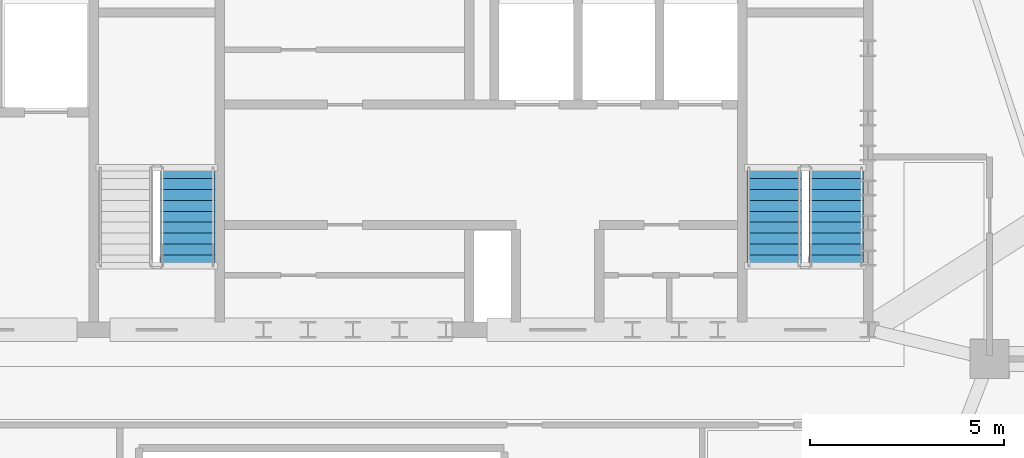
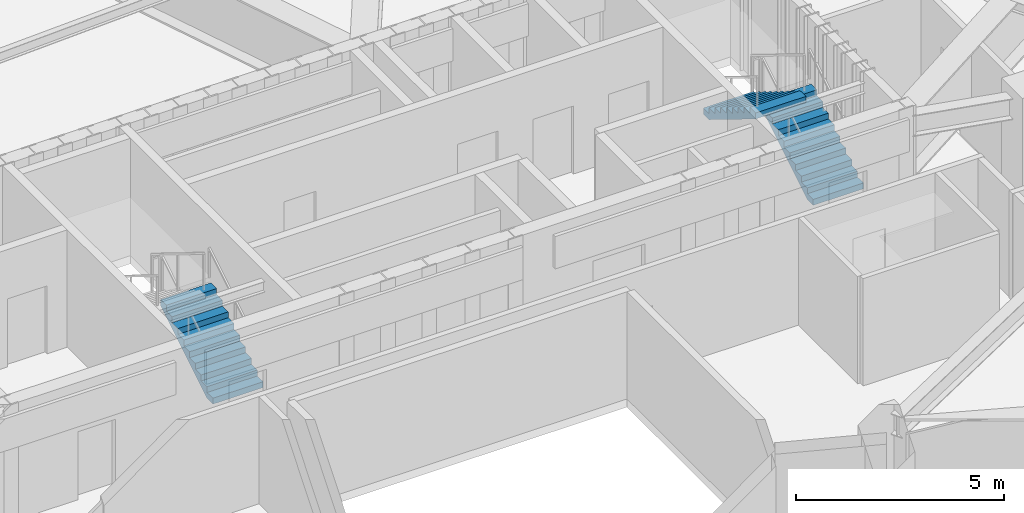
# One storey, part 7 of 12: 3 stair flights, 2 elements without a shape of their own.
"""IFC4 building model written with IfcOpenShell, lengths in metres."""

from ifc_helpers import new_model, si_unit, direction, frame, origin, place, context, subcontext, project, spatial, polyline, outline, extrude, material, type_object, element, aggregate, save


model = new_model("IFC4")

# Units and contexts
model_context = context("Model", 3, precision=1e-05, world=origin(), true_north=direction((0.0, 1.0)))
body_context = subcontext(model_context, "Body", "Model", "MODEL_VIEW")
ifc_project = project(units=[si_unit("LENGTHUNIT", "METRE"), si_unit("AREAUNIT", "SQUARE_METRE"), si_unit("VOLUMEUNIT", "CUBIC_METRE"), si_unit("PLANEANGLEUNIT", "RADIAN"), si_unit("MASSUNIT", "GRAM", prefix="KILO")], contexts=[model_context])

# Site, building, storey
site_placement = place(None, origin())
site = spatial("IfcSite", under=ifc_project, at=site_placement, CompositionType="ELEMENT")
building_placement = place(site_placement, origin())
building = spatial("IfcBuilding", under=site, at=building_placement, Name="Haldorwick Loom Tower", CompositionType="ELEMENT")
storey_placement = place(building_placement, frame((0.0, 0.0, 237.449951171875)))
storey = spatial("IfcBuildingStorey", under=building, at=storey_placement, Name="L64", CompositionType="ELEMENT", Elevation=237.449951171875)

# Stair, stair flights
ifc_material = material(Name="Concrete C40 (40 MPa)", Category="concrete")
stair_type = type_object("IfcStairType", Name="STR-STR-CORE", PredefinedType="HALF_TURN_STAIR", material=ifc_material)
stair_1_placement = place(storey_placement, origin())
stair_1 = element("IfcStair", 1, at=stair_1_placement, inside=storey, type_object=stair_type, Name="L64 Exit Stair ST-02", PredefinedType="HALF_TURN_STAIR")
stair_flight_type = type_object("IfcStairFlightType", Name="STR-STF-1250", PredefinedType="STRAIGHT", material=ifc_material)
stair_flight_1_placement = place(storey_placement, frame((49.25, 28.39990234375, 0.0), z_axis=(0.0, 0.0, 1.0), x_axis=(0.0, 1.0, 0.0)))
stair_flight_1 = element("IfcStairFlight", 2, at=stair_flight_1_placement, type_object=stair_flight_type, Name="ST-02 flight 1", NumberOfRisers=10, NumberOfTreads=9, PredefinedType="STRAIGHT", RiserHeight=0.1725, TreadLength=0.28, context=body_context, shape_type="SweptSolid", body=[
    extrude(outline(polyline([(0.0, 0.0), (0.0, 0.172607421875), (0.280029296875, 0.172607421875), (0.280029296875, 0.344970703125), (0.56005859375, 0.344970703125), (0.56005859375, 0.517578125), (0.840087890625, 0.517578125), (0.840087890625, 0.68994140625), (1.1201171875, 0.68994140625), (1.1201171875, 0.862548828125), (1.39990234375, 0.862548828125), (1.39990234375, 1.034912109375), (1.679931640625, 1.034912109375), (1.679931640625, 1.20751953125), (1.9599609375, 1.20751953125), (1.9599609375, 1.3798828125), (2.239990234375, 1.3798828125), (2.239990234375, 1.552490234375), (2.52001953125, 1.552490234375), (2.52001953125, 1.72509765625), (2.52001953125, 1.37646484375), (0.285888671875, 0.0), (0.0, 0.0)])), frame((0.0, 0.699951171875, 0.0), z_axis=(0.0, -1.0, 0.0), x_axis=(1.0, 0.0, 0.0)), (0.0, 0.0, 1.0), 1.39990234375),
])
stair_flight_2_placement = place(storey_placement, frame((47.64990234375, 30.919921875, 1.72509765625), z_axis=(0.0, 0.0, 1.0), x_axis=(0.0, -1.0, 0.0)))
stair_flight_2 = element("IfcStairFlight", 3, at=stair_flight_2_placement, type_object=stair_flight_type, Name="ST-02 flight 2", NumberOfRisers=10, NumberOfTreads=9, PredefinedType="STRAIGHT", RiserHeight=0.1725, TreadLength=0.28, context=body_context, shape_type="SweptSolid", body=[
    extrude(outline(polyline([(0.0, 0.0), (0.0, 0.172607421875), (0.280029296875, 0.172607421875), (0.280029296875, 0.344970703125), (0.56005859375, 0.344970703125), (0.56005859375, 0.517578125), (0.840087890625, 0.517578125), (0.840087890625, 0.68994140625), (1.1201171875, 0.68994140625), (1.1201171875, 0.862548828125), (1.39990234375, 0.862548828125), (1.39990234375, 1.034912109375), (1.679931640625, 1.034912109375), (1.679931640625, 1.20751953125), (1.9599609375, 1.20751953125), (1.9599609375, 1.3798828125), (2.239990234375, 1.3798828125), (2.239990234375, 1.552490234375), (2.52001953125, 1.552490234375), (2.52001953125, 1.72509765625), (2.52001953125, 1.37646484375), (0.285888671875, 0.0), (0.0, 0.0)])), frame((0.0, 0.699951171875, 0.0), z_axis=(0.0, -1.0, 0.0), x_axis=(1.0, 0.0, 0.0)), (0.0, 0.0, 1.0), 1.39990234375),
])
aggregate(stair_1, [stair_flight_1, stair_flight_2])

# Stair, stair flight
stair_2_placement = place(storey_placement, origin())
stair_2 = element("IfcStair", 4, at=stair_2_placement, inside=storey, type_object=stair_type, Name="L64 Exit Stair ST-03", PredefinedType="HALF_TURN_STAIR")
stair_flight_3_placement = place(storey_placement, frame((32.550048828125, 28.39990234375, 0.0), z_axis=(0.0, 0.0, 1.0), x_axis=(0.0, 1.0, 0.0)))
stair_flight_3 = element("IfcStairFlight", 5, at=stair_flight_3_placement, type_object=stair_flight_type, Name="ST-03 flight 1", NumberOfRisers=10, NumberOfTreads=9, PredefinedType="STRAIGHT", RiserHeight=0.1725, TreadLength=0.28, context=body_context, shape_type="SweptSolid", body=[
    extrude(outline(polyline([(0.0, 0.0), (0.0, 0.172607421875), (0.280029296875, 0.172607421875), (0.280029296875, 0.344970703125), (0.56005859375, 0.344970703125), (0.56005859375, 0.517578125), (0.840087890625, 0.517578125), (0.840087890625, 0.68994140625), (1.1201171875, 0.68994140625), (1.1201171875, 0.862548828125), (1.39990234375, 0.862548828125), (1.39990234375, 1.034912109375), (1.679931640625, 1.034912109375), (1.679931640625, 1.20751953125), (1.9599609375, 1.20751953125), (1.9599609375, 1.3798828125), (2.239990234375, 1.3798828125), (2.239990234375, 1.552490234375), (2.52001953125, 1.552490234375), (2.52001953125, 1.72509765625), (2.52001953125, 1.37646484375), (0.285888671875, 0.0), (0.0, 0.0)])), frame((0.0, 0.699951171875, 0.0), z_axis=(0.0, -1.0, 0.0), x_axis=(1.0, 0.0, 0.0)), (0.0, 0.0, 1.0), 1.39990234375),
])
aggregate(stair_2, [stair_flight_3])

save(model, "model.ifc")
